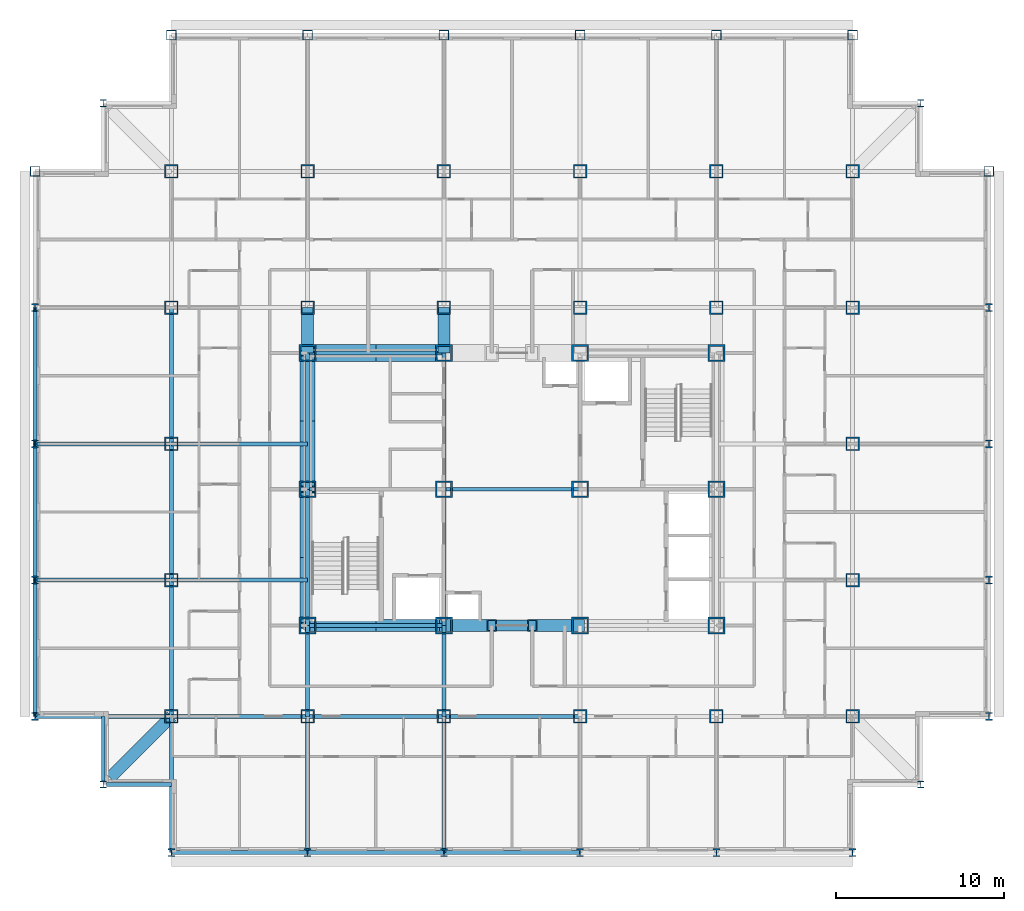
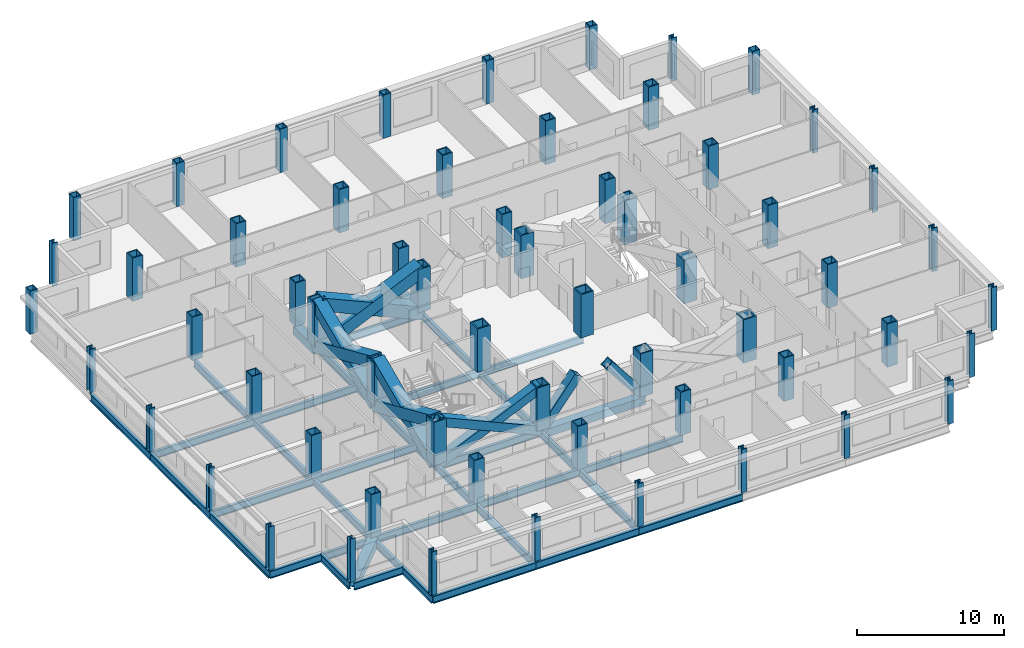
# One storey, part 1 of 12: 60 columns, 36 beams, 10 members.
"""IFC4 building model written with IfcOpenShell, lengths in metres."""

from ifc_helpers import new_model, si_unit, direction, frame, origin, origin_2d, place, context, subcontext, project, spatial, hollow_rectangle, i_section, extrude, material, material_profile, profile_set, type_object, element, save


model = new_model("IFC4")

# Units and contexts
model_context = context("Model", 3, precision=1e-05, world=origin(), true_north=direction((0.0, 1.0)))
body_context = subcontext(model_context, "Body", "Model", "MODEL_VIEW")
ifc_project = project(units=[si_unit("LENGTHUNIT", "METRE"), si_unit("AREAUNIT", "SQUARE_METRE"), si_unit("VOLUMEUNIT", "CUBIC_METRE"), si_unit("PLANEANGLEUNIT", "RADIAN"), si_unit("MASSUNIT", "GRAM", prefix="KILO")], contexts=[model_context])

# Site, building, storey
site_placement = place(None, origin())
site = spatial("IfcSite", under=ifc_project, at=site_placement, CompositionType="ELEMENT")
building_placement = place(site_placement, origin())
building = spatial("IfcBuilding", under=site, at=building_placement, Name="Kopane Lantern Tower", CompositionType="ELEMENT")
storey_placement = place(building_placement, frame((0.0, 0.0, 188.39990234375)))
storey = spatial("IfcBuildingStorey", under=building, at=storey_placement, Name="L48", CompositionType="ELEMENT", Elevation=188.39990234375)

# Columns
ifc_material_1 = material(Name="Steel S355JR", Category="steel")
ifc_material_profile_1 = material_profile(ifc_material_1, hollow_rectangle(XDim=1.0, YDim=1.0, WallThickness=0.10009765625, at=origin_2d()), Name="BOX 1000x1000x100")
ifc_profile_set_1 = profile_set([ifc_material_profile_1], Name="Steel S355JR")
column_type_1 = type_object("IfcColumnType", Name="COLUMN BOX 1000x1000x100", PredefinedType="COLUMN", material=ifc_profile_set_1)
for number, where, z_axis, x_axis, name in (
    (1, (16.199951171875, 24.300048828125, 0.0), (0.0, 0.0, 1.0), (1.0, 0.0, 0.0), "Column 4/E L48"),
    (2, (16.199951171875, 32.39990234375, 0.0), (0.0, 0.0, 1.0), (1.0, 0.0, 0.0), "Column 4/F L48"),
    (3, (16.199951171875, 40.5, 0.0), (0.0, 0.0, 1.0), (1.0, 0.0, 0.0), "Column 4/G L48"),
    (4, (24.300048828125, 24.300048828125, 0.0), (0.0, 0.0, 1.0), (1.0, 0.0, 0.0), "Column 5/E L48"),
    (5, (24.300048828125, 32.39990234375, 0.0), (0.0, 0.0, 1.0), (1.0, 0.0, 0.0), "Column 5/F L48"),
    (6, (24.300048828125, 40.5, 0.0), (0.0, 0.0, 1.0), (1.0, 0.0, 0.0), "Column 5/G L48"),
    (7, (32.39990234375, 24.300048828125, 0.0), (0.0, 0.0, 1.0), (1.0, 0.0, 0.0), "Column 6/E L48"),
    (8, (32.39990234375, 32.39990234375, 0.0), (0.0, 0.0, 1.0), (1.0, 0.0, 0.0), "Column 6/F L48"),
    (9, (32.39990234375, 40.5, 0.0), (0.0, 0.0, 1.0), (1.0, 0.0, 0.0), "Column 6/G L48"),
    (10, (40.5, 24.300048828125, 0.0), (0.0, 0.0, 1.0), (1.0, 0.0, 0.0), "Column 7/E L48"),
    (11, (40.5, 32.39990234375, 0.0), (0.0, 0.0, 1.0), (1.0, 0.0, 0.0), "Column 7/F L48"),
    (12, (40.5, 40.5, 0.0), (0.0, 0.0, 1.0), (1.0, 0.0, 0.0), "Column 7/G L48"),
):
    element("IfcColumn", number, at=place(storey_placement, frame(where, z_axis=z_axis, x_axis=x_axis)), inside=storey, type_object=column_type_1, Name=name, PredefinedType="COLUMN", context=body_context, shape_type="SweptSolid", body=[
        extrude(hollow_rectangle(XDim=1.0, YDim=1.0, WallThickness=0.10009765625, at=origin_2d()), origin(), (0.0, 0.0, 1.0), 3.60009765625),
    ])
ifc_material_2 = material(Name="Steel S355JR", Category="steel")
ifc_material_profile_2 = material_profile(ifc_material_2, hollow_rectangle(XDim=0.60009765625, YDim=0.60009765625, WallThickness=0.050048828125, at=origin_2d()), Name="BOX 600x600x50")
ifc_profile_set_2 = profile_set([ifc_material_profile_2], Name="Steel S355JR")
column_type_2 = type_object("IfcColumnType", Name="COLUMN BOX 600x600x50", PredefinedType="COLUMN", material=ifc_profile_set_2)
for number, where, z_axis, x_axis, name in (
    (13, (0.0, 51.300048828125, 0.0), (0.0, 0.0, 1.0), (1.0, 0.0, 0.0), "Column 2/Q6 L48"),
    (14, (8.10009765625, 59.39990234375, 0.0), (0.0, 0.0, 1.0), (1.0, 0.0, 0.0), "Column 3/Q7 L48"),
    (15, (16.199951171875, 59.39990234375, 0.0), (0.0, 0.0, 1.0), (1.0, 0.0, 0.0), "Column 4/Q7 L48"),
    (16, (24.300048828125, 59.39990234375, 0.0), (0.0, 0.0, 1.0), (1.0, 0.0, 0.0), "Column 5/Q7 L48"),
    (17, (32.39990234375, 59.39990234375, 0.0), (0.0, 0.0, 1.0), (1.0, 0.0, 0.0), "Column 6/Q7 L48"),
    (18, (40.5, 59.39990234375, 0.0), (0.0, 0.0, 1.0), (1.0, 0.0, 0.0), "Column 7/Q7 L48"),
    (19, (48.60009765625, 59.39990234375, 0.0), (0.0, 0.0, 1.0), (1.0, 0.0, 0.0), "Column 8/Q7 L48"),
    (20, (56.699951171875, 51.300048828125, 0.0), (0.0, 0.0, 1.0), (1.0, 0.0, 0.0), "Column 9/Q6 L48"),
):
    element("IfcColumn", number, at=place(storey_placement, frame(where, z_axis=z_axis, x_axis=x_axis)), inside=storey, type_object=column_type_2, Name=name, PredefinedType="COLUMN", context=body_context, shape_type="SweptSolid", body=[
        extrude(hollow_rectangle(XDim=0.60009765625, YDim=0.60009765625, WallThickness=0.050048828125, at=origin_2d()), origin(), (0.0, 0.0, 1.0), 3.60009765625),
    ])
ifc_material_3 = material(Name="Steel S355JR", Category="steel")
ifc_material_profile_3 = material_profile(ifc_material_3, hollow_rectangle(XDim=0.800048828125, YDim=0.800048828125, WallThickness=0.080078125, at=origin_2d()), Name="BOX 800x800x80")
ifc_profile_set_3 = profile_set([ifc_material_profile_3], Name="Steel S355JR")
column_type_3 = type_object("IfcColumnType", Name="COLUMN BOX 800x800x80", PredefinedType="COLUMN", material=ifc_profile_set_3)
for number, where, z_axis, x_axis, name in (
    (21, (8.10009765625, 18.89990234375, 0.0), (0.0, 0.0, 1.0), (1.0, 0.0, 0.0), "Column 3/Q2 L48"),
    (22, (8.10009765625, 27.0, 0.0), (0.0, 0.0, 1.0), (1.0, 0.0, 0.0), "Column 3/Q3 L48"),
    (23, (8.10009765625, 35.10009765625, 0.0), (0.0, 0.0, 1.0), (1.0, 0.0, 0.0), "Column 3/Q4 L48"),
    (24, (8.10009765625, 43.199951171875, 0.0), (0.0, 0.0, 1.0), (1.0, 0.0, 0.0), "Column 3/Q5 L48"),
    (25, (8.10009765625, 51.300048828125, 0.0), (0.0, 0.0, 1.0), (1.0, 0.0, 0.0), "Column 3/Q6 L48"),
    (26, (16.199951171875, 18.89990234375, 0.0), (0.0, 0.0, 1.0), (1.0, 0.0, 0.0), "Column 4/Q2 L48"),
    (27, (16.199951171875, 43.199951171875, 0.0), (0.0, 0.0, 1.0), (1.0, 0.0, 0.0), "Column 4/Q5 L48"),
    (28, (16.199951171875, 51.300048828125, 0.0), (0.0, 0.0, 1.0), (1.0, 0.0, 0.0), "Column 4/Q6 L48"),
    (29, (24.300048828125, 18.89990234375, 0.0), (0.0, 0.0, 1.0), (1.0, 0.0, 0.0), "Column 5/Q2 L48"),
    (30, (24.300048828125, 43.199951171875, 0.0), (0.0, 0.0, 1.0), (1.0, 0.0, 0.0), "Column 5/Q5 L48"),
    (31, (24.300048828125, 51.300048828125, 0.0), (0.0, 0.0, 1.0), (1.0, 0.0, 0.0), "Column 5/Q6 L48"),
    (32, (32.39990234375, 18.89990234375, 0.0), (0.0, 0.0, 1.0), (1.0, 0.0, 0.0), "Column 6/Q2 L48"),
    (33, (32.39990234375, 43.199951171875, 0.0), (0.0, 0.0, 1.0), (1.0, 0.0, 0.0), "Column 6/Q5 L48"),
    (34, (32.39990234375, 51.300048828125, 0.0), (0.0, 0.0, 1.0), (1.0, 0.0, 0.0), "Column 6/Q6 L48"),
    (35, (40.5, 18.89990234375, 0.0), (0.0, 0.0, 1.0), (1.0, 0.0, 0.0), "Column 7/Q2 L48"),
    (36, (40.5, 43.199951171875, 0.0), (0.0, 0.0, 1.0), (1.0, 0.0, 0.0), "Column 7/Q5 L48"),
    (37, (40.5, 51.300048828125, 0.0), (0.0, 0.0, 1.0), (1.0, 0.0, 0.0), "Column 7/Q6 L48"),
    (38, (48.60009765625, 18.89990234375, 0.0), (0.0, 0.0, 1.0), (1.0, 0.0, 0.0), "Column 8/Q2 L48"),
    (39, (48.60009765625, 27.0, 0.0), (0.0, 0.0, 1.0), (1.0, 0.0, 0.0), "Column 8/Q3 L48"),
    (40, (48.60009765625, 35.10009765625, 0.0), (0.0, 0.0, 1.0), (1.0, 0.0, 0.0), "Column 8/Q4 L48"),
    (41, (48.60009765625, 43.199951171875, 0.0), (0.0, 0.0, 1.0), (1.0, 0.0, 0.0), "Column 8/Q5 L48"),
    (42, (48.60009765625, 51.300048828125, 0.0), (0.0, 0.0, 1.0), (1.0, 0.0, 0.0), "Column 8/Q6 L48"),
):
    element("IfcColumn", number, at=place(storey_placement, frame(where, z_axis=z_axis, x_axis=x_axis)), inside=storey, type_object=column_type_3, Name=name, PredefinedType="COLUMN", context=body_context, shape_type="SweptSolid", body=[
        extrude(hollow_rectangle(XDim=0.800048828125, YDim=0.800048828125, WallThickness=0.080078125, at=origin_2d()), origin(), (0.0, 0.0, 1.0), 3.60009765625),
    ])
ifc_material_4 = material(Name="Steel S355JR", Category="steel")
ifc_material_profile_4 = material_profile(ifc_material_4, i_section(OverallWidth=0.406982421875, OverallDepth=0.4189453125, WebThickness=0.030517578125, FlangeThickness=0.04931640625, FilletRadius=0.01513671875, at=origin_2d()), Name="UC 356x406x393")
ifc_profile_set_4 = profile_set([ifc_material_profile_4], Name="Steel S355JR")
column_type_4 = type_object("IfcColumnType", Name="COLUMN UC 356x406x393", PredefinedType="COLUMN", material=ifc_profile_set_4)
for number, where, z_axis, x_axis, name in (
    (43, (4.050048828125, 14.85009765625, 0.0), (0.0, 0.0, 1.0), (1.0, 0.0, 0.0), "Column 4.05/14.85 L48"),
    (44, (4.050048828125, 55.35009765625, 0.0), (0.0, 0.0, 1.0), (1.0, 0.0, 0.0), "Column 4.05/55.35 L48"),
    (45, (52.64990234375, 14.85009765625, 0.0), (0.0, 0.0, 1.0), (1.0, 0.0, 0.0), "Column 52.65/14.85 L48"),
    (46, (52.64990234375, 55.35009765625, 0.0), (0.0, 0.0, 1.0), (1.0, 0.0, 0.0), "Column 52.65/55.35 L48"),
):
    element("IfcColumn", number, at=place(storey_placement, frame(where, z_axis=z_axis, x_axis=x_axis)), inside=storey, type_object=column_type_4, Name=name, PredefinedType="COLUMN", context=body_context, shape_type="SweptSolid", body=[
        extrude(i_section(OverallWidth=0.406982421875, OverallDepth=0.4189453125, WebThickness=0.030517578125, FlangeThickness=0.04931640625, FilletRadius=0.01513671875, at=origin_2d()), origin(), (0.0, 0.0, 1.0), 3.60009765625),
    ])
ifc_material_5 = material(Name="Steel S355JR", Category="steel")
ifc_material_profile_5 = material_profile(ifc_material_5, i_section(OverallWidth=0.424072265625, OverallDepth=0.474609375, WebThickness=0.047607421875, FlangeThickness=0.076904296875, FilletRadius=0.01513671875, at=origin_2d()), Name="UC 356x406x634")
ifc_profile_set_5 = profile_set([ifc_material_profile_5], Name="Steel S355JR")
column_type_5 = type_object("IfcColumnType", Name="COLUMN UC 356x406x634", PredefinedType="COLUMN", material=ifc_profile_set_5)
for number, where, z_axis, x_axis, name in (
    (47, (0.0, 18.89990234375, 0.0), (0.0, 0.0, 1.0), (1.0, 0.0, 0.0), "Column 2/Q2 L48"),
    (48, (0.0, 27.0, 0.0), (0.0, 0.0, 1.0), (1.0, 0.0, 0.0), "Column 2/Q3 L48"),
    (49, (0.0, 35.10009765625, 0.0), (0.0, 0.0, 1.0), (1.0, 0.0, 0.0), "Column 2/Q4 L48"),
    (50, (0.0, 43.199951171875, 0.0), (0.0, 0.0, 1.0), (1.0, 0.0, 0.0), "Column 2/Q5 L48"),
    (51, (8.10009765625, 10.800048828125, 0.0), (0.0, 0.0, 1.0), (1.0, 0.0, 0.0), "Column 3/Q1 L48"),
    (52, (16.199951171875, 10.800048828125, 0.0), (0.0, 0.0, 1.0), (1.0, 0.0, 0.0), "Column 4/Q1 L48"),
    (53, (24.300048828125, 10.800048828125, 0.0), (0.0, 0.0, 1.0), (1.0, 0.0, 0.0), "Column 5/Q1 L48"),
    (54, (32.39990234375, 10.800048828125, 0.0), (0.0, 0.0, 1.0), (1.0, 0.0, 0.0), "Column 6/Q1 L48"),
    (55, (40.5, 10.800048828125, 0.0), (0.0, 0.0, 1.0), (1.0, 0.0, 0.0), "Column 7/Q1 L48"),
    (56, (48.60009765625, 10.800048828125, 0.0), (0.0, 0.0, 1.0), (1.0, 0.0, 0.0), "Column 8/Q1 L48"),
    (57, (56.699951171875, 18.89990234375, 0.0), (0.0, 0.0, 1.0), (1.0, 0.0, 0.0), "Column 9/Q2 L48"),
    (58, (56.699951171875, 27.0, 0.0), (0.0, 0.0, 1.0), (1.0, 0.0, 0.0), "Column 9/Q3 L48"),
    (59, (56.699951171875, 35.10009765625, 0.0), (0.0, 0.0, 1.0), (1.0, 0.0, 0.0), "Column 9/Q4 L48"),
    (60, (56.699951171875, 43.199951171875, 0.0), (0.0, 0.0, 1.0), (1.0, 0.0, 0.0), "Column 9/Q5 L48"),
):
    element("IfcColumn", number, at=place(storey_placement, frame(where, z_axis=z_axis, x_axis=x_axis)), inside=storey, type_object=column_type_5, Name=name, PredefinedType="COLUMN", context=body_context, shape_type="SweptSolid", body=[
        extrude(i_section(OverallWidth=0.424072265625, OverallDepth=0.474609375, WebThickness=0.047607421875, FlangeThickness=0.076904296875, FilletRadius=0.01513671875, at=origin_2d()), origin(), (0.0, 0.0, 1.0), 3.60009765625),
    ])

# Members
ifc_material_6 = material(Name="Steel S355JR", Category="steel")
ifc_material_profile_6 = material_profile(ifc_material_6, hollow_rectangle(XDim=1.0, YDim=1.0, WallThickness=0.10009765625, at=origin_2d()), Name="BOX 1000x1000x100")
ifc_profile_set_6 = profile_set([ifc_material_profile_6], Name="Steel S355JR")
member_type_1 = type_object("IfcMemberType", Name="BRACE BOX 1000x1000x100", PredefinedType="BRACE", material=ifc_profile_set_6)
for number, where, z_axis, x_axis, name in (
    (61, (16.199951171875, 40.5, -0.2099609375), (0.913809277049, 0.0, 0.40614357705), (0.0, 1.0, 0.0), "Core brace L48"),
    (62, (24.300048828125, 40.5, -0.2099609375), (-0.913809277049, 0.0, 0.40614357705), (0.0, -1.0, 0.0), "Core brace L48"),
):
    element("IfcMember", number, at=place(storey_placement, frame(where, z_axis=z_axis, x_axis=x_axis)), inside=storey, type_object=member_type_1, Name=name, PredefinedType="BRACE", context=body_context, shape_type="SweptSolid", body=[
        extrude(hollow_rectangle(XDim=1.0, YDim=1.0, WallThickness=0.10009765625, at=origin_2d()), origin(), (0.0, 0.0, 1.0), 8.864013671875),
    ])
ifc_material_7 = material(Name="Steel S355JR", Category="steel")
ifc_material_profile_7 = material_profile(ifc_material_7, hollow_rectangle(XDim=0.699951171875, YDim=0.699951171875, WallThickness=0.06005859375, at=origin_2d()), Name="BOX 700x700x60")
ifc_profile_set_7 = profile_set([ifc_material_profile_7], Name="Steel S355JR")
member_type_2 = type_object("IfcMemberType", Name="BRACE BOX 700x700x60", PredefinedType="BRACE", material=ifc_profile_set_7)
for number, where, z_axis, x_axis, name in (
    (63, (16.199951171875, 24.300048828125, -0.2099609375), (0.913809277049, 0.0, 0.40614357705), (0.0, 1.0, 0.0), "Core brace L48"),
    (64, (24.300048828125, 24.300048828125, -0.2099609375), (-0.913809277049, 0.0, 0.40614357705), (0.0, -1.0, 0.0), "Core brace L48"),
):
    element("IfcMember", number, at=place(storey_placement, frame(where, z_axis=z_axis, x_axis=x_axis)), inside=storey, type_object=member_type_2, Name=name, PredefinedType="BRACE", context=body_context, shape_type="SweptSolid", body=[
        extrude(hollow_rectangle(XDim=0.699951171875, YDim=0.699951171875, WallThickness=0.06005859375, at=origin_2d()), origin(), (0.0, 0.0, 1.0), 8.864013671875),
    ])
for number, where, z_axis, x_axis, name in (
    (65, (24.300048828125, 24.300048828125, -0.2099609375), (0.620672981644, 0.0, 0.784069544018), (0.0, 1.0, 0.0), "Core brace L48"),
    (66, (32.39990234375, 24.300048828125, -0.2099609375), (-0.620672981644, 0.0, 0.784069544018), (0.0, -1.0, 0.0), "Core brace L48"),
):
    element("IfcMember", number, at=place(storey_placement, frame(where, z_axis=z_axis, x_axis=x_axis)), inside=storey, type_object=member_type_2, Name=name, PredefinedType="BRACE", context=body_context, shape_type="SweptSolid", body=[
        extrude(hollow_rectangle(XDim=0.699951171875, YDim=0.699951171875, WallThickness=0.06005859375, at=origin_2d()), origin(), (0.0, 0.0, 1.0), 4.591552734375),
    ])
ifc_material_8 = material(Name="Steel S355JR", Category="steel")
ifc_material_profile_8 = material_profile(ifc_material_8, hollow_rectangle(XDim=0.89990234375, YDim=0.89990234375, WallThickness=0.090087890625, at=origin_2d()), Name="BOX 900x900x90")
ifc_profile_set_8 = profile_set([ifc_material_profile_8], Name="Steel S355JR")
member_type_3 = type_object("IfcMemberType", Name="BRACE BOX 900x900x90", PredefinedType="BRACE", material=ifc_profile_set_8)
for number, where, z_axis, x_axis, name in (
    (67, (16.199951171875, 24.300048828125, -0.2099609375), (0.0, 0.91380473365, 0.406153799391), (-1.0, 0.0, 0.0), "Core brace L48"),
    (68, (16.199951171875, 32.39990234375, -0.2099609375), (0.0, -0.91380473365, 0.406153799391), (1.0, 0.0, 0.0), "Core brace L48"),
):
    element("IfcMember", number, at=place(storey_placement, frame(where, z_axis=z_axis, x_axis=x_axis)), inside=storey, type_object=member_type_3, Name=name, PredefinedType="BRACE", context=body_context, shape_type="SweptSolid", body=[
        extrude(hollow_rectangle(XDim=0.89990234375, YDim=0.89990234375, WallThickness=0.090087890625, at=origin_2d()), origin(), (0.0, 0.0, 1.0), 8.86376953125),
    ])
for number, where, z_axis, x_axis, name in (
    (69, (16.199951171875, 32.39990234375, -0.2099609375), (0.0, 0.913809277049, 0.40614357705), (-1.0, 0.0, 0.0), "Core brace L48"),
    (70, (16.199951171875, 40.5, -0.2099609375), (0.0, -0.913809277049, 0.40614357705), (1.0, 0.0, 0.0), "Core brace L48"),
):
    element("IfcMember", number, at=place(storey_placement, frame(where, z_axis=z_axis, x_axis=x_axis)), inside=storey, type_object=member_type_3, Name=name, PredefinedType="BRACE", context=body_context, shape_type="SweptSolid", body=[
        extrude(hollow_rectangle(XDim=0.89990234375, YDim=0.89990234375, WallThickness=0.090087890625, at=origin_2d()), origin(), (0.0, 0.0, 1.0), 8.864013671875),
    ])

# Beams
ifc_material_9 = material(Name="Steel S355JR", Category="steel")
ifc_material_profile_9 = material_profile(ifc_material_9, i_section(OverallWidth=0.22900390625, OverallDepth=0.6123046875, WebThickness=0.011962890625, FlangeThickness=0.01953125, FilletRadius=0.0126953125, at=origin_2d()), Name="UB 610x229x125")
ifc_profile_set_9 = profile_set([ifc_material_profile_9], Name="Steel S355JR")
beam_type_1 = type_object("IfcBeamType", Name="CORE BEAM UB 610x229x125", PredefinedType="BEAM", material=ifc_profile_set_9)
beam_1_placement = place(storey_placement, frame((16.199951171875, 32.39990234375, -0.51611328125), z_axis=(1.0, 0.0, 0.0), x_axis=(0.0, 1.0, 0.0)))
element("IfcBeam", 71, at=beam_1_placement, inside=storey, type_object=beam_type_1, Name="Core Beam L48", PredefinedType="BEAM", context=body_context, shape_type="SweptSolid", body=[
    extrude(i_section(OverallWidth=0.22900390625, OverallDepth=0.6123046875, WebThickness=0.011962890625, FlangeThickness=0.01953125, FilletRadius=0.0126953125, at=origin_2d()), origin(), (0.0, 0.0, 1.0), 8.10009765625),
])
beam_2_placement = place(storey_placement, frame((24.300048828125, 24.300048828125, -0.51611328125), z_axis=(0.0, 1.0, 0.0), x_axis=(-1.0, 0.0, 0.0)))
element("IfcBeam", 72, at=beam_2_placement, inside=storey, type_object=beam_type_1, Name="Core Beam L48", PredefinedType="BEAM", context=body_context, shape_type="SweptSolid", body=[
    extrude(i_section(OverallWidth=0.22900390625, OverallDepth=0.6123046875, WebThickness=0.011962890625, FlangeThickness=0.01953125, FilletRadius=0.0126953125, at=origin_2d()), origin(), (0.0, 0.0, 1.0), 8.099853515625),
])
beam_3_placement = place(storey_placement, frame((24.300048828125, 32.39990234375, -0.51611328125), z_axis=(0.0, 1.0, 0.0), x_axis=(-1.0, 0.0, 0.0)))
element("IfcBeam", 73, at=beam_3_placement, inside=storey, type_object=beam_type_1, Name="Core Beam L48", PredefinedType="BEAM", context=body_context, shape_type="SweptSolid", body=[
    extrude(i_section(OverallWidth=0.22900390625, OverallDepth=0.6123046875, WebThickness=0.011962890625, FlangeThickness=0.01953125, FilletRadius=0.0126953125, at=origin_2d()), origin(), (0.0, 0.0, 1.0), 8.10009765625),
])
beam_4_placement = place(storey_placement, frame((24.300048828125, 32.39990234375, -0.51611328125), z_axis=(1.0, 0.0, 0.0), x_axis=(0.0, 1.0, 0.0)))
element("IfcBeam", 74, at=beam_4_placement, inside=storey, type_object=beam_type_1, Name="Core Beam L48", PredefinedType="BEAM", context=body_context, shape_type="SweptSolid", body=[
    extrude(i_section(OverallWidth=0.22900390625, OverallDepth=0.6123046875, WebThickness=0.011962890625, FlangeThickness=0.01953125, FilletRadius=0.0126953125, at=origin_2d()), origin(), (0.0, 0.0, 1.0), 8.099853515625),
])
ifc_material_10 = material(Name="Steel S355JR", Category="steel")
ifc_material_profile_10 = material_profile(ifc_material_10, hollow_rectangle(XDim=0.699951171875, YDim=0.699951171875, WallThickness=0.06005859375, at=origin_2d()), Name="BOX 700x700x60")
ifc_profile_set_10 = profile_set([ifc_material_profile_10], Name="Steel S355JR")
beam_type_2 = type_object("IfcBeamType", Name="CORNER TIE BEAM BOX 700x700x60", PredefinedType="BEAM", material=ifc_profile_set_10)
beam_5_placement = place(storey_placement, frame((4.447509765625, 15.24755859375, -0.559814453125), z_axis=(0.70713041325, 0.707083148333, 0.0), x_axis=(-0.707083148333, 0.70713041325, 0.0)))
element("IfcBeam", 75, at=beam_5_placement, inside=storey, type_object=beam_type_2, Name="Corner Tie Beam L48", PredefinedType="BEAM", context=body_context, shape_type="SweptSolid", body=[
    extrude(hollow_rectangle(XDim=0.699951171875, YDim=0.699951171875, WallThickness=0.06005859375, at=origin_2d()), origin(), (0.0, 0.0, 1.0), 5.165283203125),
])
ifc_material_11 = material(Name="Steel S355JR", Category="steel")
ifc_material_profile_11 = material_profile(ifc_material_11, i_section(OverallWidth=0.22900390625, OverallDepth=0.6123046875, WebThickness=0.011962890625, FlangeThickness=0.01953125, FilletRadius=0.0126953125, at=origin_2d()), Name="UB 610x229x125")
ifc_profile_set_11 = profile_set([ifc_material_profile_11], Name="Steel S355JR")
beam_type_3 = type_object("IfcBeamType", Name="EDGE BEAM UB 610x229x125", PredefinedType="BEAM", material=ifc_profile_set_11)
beam_6_placement = place(storey_placement, frame((4.050048828125, 15.053466796875, -0.51611328125), z_axis=(0.0, 1.0, 0.0), x_axis=(-1.0, 0.0, 0.0)))
element("IfcBeam", 76, at=beam_6_placement, inside=storey, type_object=beam_type_3, Name="Edge Beam L48", PredefinedType="BEAM", context=body_context, shape_type="SweptSolid", body=[
    extrude(i_section(OverallWidth=0.22900390625, OverallDepth=0.6123046875, WebThickness=0.011962890625, FlangeThickness=0.01953125, FilletRadius=0.0126953125, at=origin_2d()), origin(), (0.0, 0.0, 1.0), 3.846435546875),
])
beam_7_placement = place(storey_placement, frame((4.25341796875, 14.85009765625, -0.51611328125), z_axis=(1.0, 0.0, 0.0), x_axis=(0.0, 1.0, 0.0)))
element("IfcBeam", 77, at=beam_7_placement, inside=storey, type_object=beam_type_3, Name="Edge Beam L48", PredefinedType="BEAM", context=body_context, shape_type="SweptSolid", body=[
    extrude(i_section(OverallWidth=0.22900390625, OverallDepth=0.6123046875, WebThickness=0.011962890625, FlangeThickness=0.01953125, FilletRadius=0.0126953125, at=origin_2d()), origin(), (0.0, 0.0, 1.0), 3.8466796875),
])
ifc_material_12 = material(Name="Steel S355JR", Category="steel")
ifc_material_profile_12 = material_profile(ifc_material_12, hollow_rectangle(XDim=0.699951171875, YDim=0.699951171875, WallThickness=0.06005859375, at=origin_2d()), Name="BOX 700x700x60")
ifc_profile_set_12 = profile_set([ifc_material_profile_12], Name="Steel S355JR")
beam_type_4 = type_object("IfcBeamType", Name="GIRDER BOX 700x700x60", PredefinedType="BEAM", material=ifc_profile_set_12)
for number, where, z_axis, x_axis, name in (
    (78, (16.199951171875, 40.5, -0.559814453125), (0.0, 1.0, 0.0), (-1.0, 0.0, 0.0), "Girder L48"),
    (79, (24.300048828125, 40.5, -0.559814453125), (0.0, 1.0, 0.0), (-1.0, 0.0, 0.0), "Girder L48"),
):
    element("IfcBeam", number, at=place(storey_placement, frame(where, z_axis=z_axis, x_axis=x_axis)), inside=storey, type_object=beam_type_4, Name=name, PredefinedType="BEAM", context=body_context, shape_type="SweptSolid", body=[
        extrude(hollow_rectangle(XDim=0.699951171875, YDim=0.699951171875, WallThickness=0.06005859375, at=origin_2d()), origin(), (0.0, 0.0, 1.0), 2.699951171875),
    ])
ifc_material_13 = material(Name="Steel S355JR", Category="steel")
ifc_material_profile_13 = material_profile(ifc_material_13, i_section(OverallWidth=0.22900390625, OverallDepth=0.6123046875, WebThickness=0.011962890625, FlangeThickness=0.01953125, FilletRadius=0.0126953125, at=origin_2d()), Name="UB 610x229x125")
ifc_profile_set_13 = profile_set([ifc_material_profile_13], Name="Steel S355JR")
beam_type_5 = type_object("IfcBeamType", Name="GIRDER UB 610x229x125", PredefinedType="BEAM", material=ifc_profile_set_13)
for number, where, z_axis, x_axis, name in (
    (80, (0.0, 18.89990234375, -0.51611328125), (0.0, 1.0, 0.0), (-1.0, 0.0, 0.0), "Girder L48"),
    (81, (0.0, 18.89990234375, -0.51611328125), (1.0, 0.0, 0.0), (0.0, 1.0, 0.0), "Girder L48"),
    (82, (0.0, 27.0, -0.51611328125), (0.0, 1.0, 0.0), (-1.0, 0.0, 0.0), "Girder L48"),
    (83, (0.0, 27.0, -0.51611328125), (1.0, 0.0, 0.0), (0.0, 1.0, 0.0), "Girder L48"),
):
    element("IfcBeam", number, at=place(storey_placement, frame(where, z_axis=z_axis, x_axis=x_axis)), inside=storey, type_object=beam_type_5, Name=name, PredefinedType="BEAM", context=body_context, shape_type="SweptSolid", body=[
        extrude(i_section(OverallWidth=0.22900390625, OverallDepth=0.6123046875, WebThickness=0.011962890625, FlangeThickness=0.01953125, FilletRadius=0.0126953125, at=origin_2d()), origin(), (0.0, 0.0, 1.0), 8.10009765625),
    ])
beam_8_placement = place(storey_placement, frame((0.0, 35.10009765625, -0.51611328125), z_axis=(0.0, 1.0, 0.0), x_axis=(-1.0, 0.0, 0.0)))
element("IfcBeam", 84, at=beam_8_placement, inside=storey, type_object=beam_type_5, Name="Girder L48", PredefinedType="BEAM", context=body_context, shape_type="SweptSolid", body=[
    extrude(i_section(OverallWidth=0.22900390625, OverallDepth=0.6123046875, WebThickness=0.011962890625, FlangeThickness=0.01953125, FilletRadius=0.0126953125, at=origin_2d()), origin(), (0.0, 0.0, 1.0), 8.099853515625),
])
beam_9_placement = place(storey_placement, frame((0.0, 35.10009765625, -0.51611328125), z_axis=(1.0, 0.0, 0.0), x_axis=(0.0, 1.0, 0.0)))
element("IfcBeam", 85, at=beam_9_placement, inside=storey, type_object=beam_type_5, Name="Girder L48", PredefinedType="BEAM", context=body_context, shape_type="SweptSolid", body=[
    extrude(i_section(OverallWidth=0.22900390625, OverallDepth=0.6123046875, WebThickness=0.011962890625, FlangeThickness=0.01953125, FilletRadius=0.0126953125, at=origin_2d()), origin(), (0.0, 0.0, 1.0), 8.10009765625),
])
for number, where, z_axis, x_axis, name in (
    (86, (8.10009765625, 10.800048828125, -0.51611328125), (0.0, 1.0, 0.0), (-1.0, 0.0, 0.0), "Girder L48"),
    (87, (8.10009765625, 10.800048828125, -0.51611328125), (1.0, 0.0, 0.0), (0.0, 1.0, 0.0), "Girder L48"),
):
    element("IfcBeam", number, at=place(storey_placement, frame(where, z_axis=z_axis, x_axis=x_axis)), inside=storey, type_object=beam_type_5, Name=name, PredefinedType="BEAM", context=body_context, shape_type="SweptSolid", body=[
        extrude(i_section(OverallWidth=0.22900390625, OverallDepth=0.6123046875, WebThickness=0.011962890625, FlangeThickness=0.01953125, FilletRadius=0.0126953125, at=origin_2d()), origin(), (0.0, 0.0, 1.0), 8.099853515625),
    ])
beam_10_placement = place(storey_placement, frame((8.10009765625, 18.89990234375, -0.51611328125), z_axis=(0.0, 1.0, 0.0), x_axis=(-1.0, 0.0, 0.0)))
element("IfcBeam", 88, at=beam_10_placement, inside=storey, type_object=beam_type_5, Name="Girder L48", PredefinedType="BEAM", context=body_context, shape_type="SweptSolid", body=[
    extrude(i_section(OverallWidth=0.22900390625, OverallDepth=0.6123046875, WebThickness=0.011962890625, FlangeThickness=0.01953125, FilletRadius=0.0126953125, at=origin_2d()), origin(), (0.0, 0.0, 1.0), 8.10009765625),
])
beam_11_placement = place(storey_placement, frame((8.10009765625, 18.89990234375, -0.51611328125), z_axis=(1.0, 0.0, 0.0), x_axis=(0.0, 1.0, 0.0)))
element("IfcBeam", 89, at=beam_11_placement, inside=storey, type_object=beam_type_5, Name="Girder L48", PredefinedType="BEAM", context=body_context, shape_type="SweptSolid", body=[
    extrude(i_section(OverallWidth=0.22900390625, OverallDepth=0.6123046875, WebThickness=0.011962890625, FlangeThickness=0.01953125, FilletRadius=0.0126953125, at=origin_2d()), origin(), (0.0, 0.0, 1.0), 8.099853515625),
])
beam_12_placement = place(storey_placement, frame((8.10009765625, 27.0, -0.51611328125), z_axis=(0.0, 1.0, 0.0), x_axis=(-1.0, 0.0, 0.0)))
element("IfcBeam", 90, at=beam_12_placement, inside=storey, type_object=beam_type_5, Name="Girder L48", PredefinedType="BEAM", context=body_context, shape_type="SweptSolid", body=[
    extrude(i_section(OverallWidth=0.22900390625, OverallDepth=0.6123046875, WebThickness=0.011962890625, FlangeThickness=0.01953125, FilletRadius=0.0126953125, at=origin_2d()), origin(), (0.0, 0.0, 1.0), 8.10009765625),
])
for number, where, z_axis, x_axis, name in (
    (91, (8.10009765625, 27.0, -0.51611328125), (1.0, 0.0, 0.0), (0.0, 1.0, 0.0), "Girder L48"),
    (92, (8.10009765625, 35.10009765625, -0.51611328125), (0.0, 1.0, 0.0), (-1.0, 0.0, 0.0), "Girder L48"),
    (93, (8.10009765625, 35.10009765625, -0.51611328125), (1.0, 0.0, 0.0), (0.0, 1.0, 0.0), "Girder L48"),
    (94, (16.199951171875, 10.800048828125, -0.51611328125), (0.0, 1.0, 0.0), (-1.0, 0.0, 0.0), "Girder L48"),
):
    element("IfcBeam", number, at=place(storey_placement, frame(where, z_axis=z_axis, x_axis=x_axis)), inside=storey, type_object=beam_type_5, Name=name, PredefinedType="BEAM", context=body_context, shape_type="SweptSolid", body=[
        extrude(i_section(OverallWidth=0.22900390625, OverallDepth=0.6123046875, WebThickness=0.011962890625, FlangeThickness=0.01953125, FilletRadius=0.0126953125, at=origin_2d()), origin(), (0.0, 0.0, 1.0), 8.099853515625),
    ])
beam_13_placement = place(storey_placement, frame((16.199951171875, 10.800048828125, -0.51611328125), z_axis=(1.0, 0.0, 0.0), x_axis=(0.0, 1.0, 0.0)))
element("IfcBeam", 95, at=beam_13_placement, inside=storey, type_object=beam_type_5, Name="Girder L48", PredefinedType="BEAM", context=body_context, shape_type="SweptSolid", body=[
    extrude(i_section(OverallWidth=0.22900390625, OverallDepth=0.6123046875, WebThickness=0.011962890625, FlangeThickness=0.01953125, FilletRadius=0.0126953125, at=origin_2d()), origin(), (0.0, 0.0, 1.0), 8.10009765625),
])
beam_14_placement = place(storey_placement, frame((16.199951171875, 18.89990234375, -0.51611328125), z_axis=(0.0, 1.0, 0.0), x_axis=(-1.0, 0.0, 0.0)))
element("IfcBeam", 96, at=beam_14_placement, inside=storey, type_object=beam_type_5, Name="Girder L48", PredefinedType="BEAM", context=body_context, shape_type="SweptSolid", body=[
    extrude(i_section(OverallWidth=0.22900390625, OverallDepth=0.6123046875, WebThickness=0.011962890625, FlangeThickness=0.01953125, FilletRadius=0.0126953125, at=origin_2d()), origin(), (0.0, 0.0, 1.0), 5.400146484375),
])
beam_15_placement = place(storey_placement, frame((16.199951171875, 18.89990234375, -0.51611328125), z_axis=(1.0, 0.0, 0.0), x_axis=(0.0, 1.0, 0.0)))
element("IfcBeam", 97, at=beam_15_placement, inside=storey, type_object=beam_type_5, Name="Girder L48", PredefinedType="BEAM", context=body_context, shape_type="SweptSolid", body=[
    extrude(i_section(OverallWidth=0.22900390625, OverallDepth=0.6123046875, WebThickness=0.011962890625, FlangeThickness=0.01953125, FilletRadius=0.0126953125, at=origin_2d()), origin(), (0.0, 0.0, 1.0), 8.10009765625),
])
beam_16_placement = place(storey_placement, frame((16.199951171875, 24.300048828125, -0.51611328125), z_axis=(0.0, 1.0, 0.0), x_axis=(-1.0, 0.0, 0.0)))
element("IfcBeam", 98, at=beam_16_placement, inside=storey, type_object=beam_type_5, Name="Girder L48", PredefinedType="BEAM", context=body_context, shape_type="SweptSolid", body=[
    extrude(i_section(OverallWidth=0.22900390625, OverallDepth=0.6123046875, WebThickness=0.011962890625, FlangeThickness=0.01953125, FilletRadius=0.0126953125, at=origin_2d()), origin(), (0.0, 0.0, 1.0), 8.099853515625),
])
for number, where, z_axis, x_axis, name in (
    (99, (16.199951171875, 24.300048828125, -0.51611328125), (1.0, 0.0, 0.0), (0.0, 1.0, 0.0), "Girder L48"),
    (100, (16.199951171875, 32.39990234375, -0.51611328125), (0.0, 1.0, 0.0), (-1.0, 0.0, 0.0), "Girder L48"),
    (101, (16.199951171875, 40.5, -0.51611328125), (1.0, 0.0, 0.0), (0.0, 1.0, 0.0), "Girder L48"),
):
    element("IfcBeam", number, at=place(storey_placement, frame(where, z_axis=z_axis, x_axis=x_axis)), inside=storey, type_object=beam_type_5, Name=name, PredefinedType="BEAM", context=body_context, shape_type="SweptSolid", body=[
        extrude(i_section(OverallWidth=0.22900390625, OverallDepth=0.6123046875, WebThickness=0.011962890625, FlangeThickness=0.01953125, FilletRadius=0.0126953125, at=origin_2d()), origin(), (0.0, 0.0, 1.0), 8.10009765625),
    ])
for number, where, z_axis, x_axis, name in (
    (102, (24.300048828125, 10.800048828125, -0.51611328125), (0.0, 1.0, 0.0), (-1.0, 0.0, 0.0), "Girder L48"),
    (103, (24.300048828125, 10.800048828125, -0.51611328125), (1.0, 0.0, 0.0), (0.0, 1.0, 0.0), "Girder L48"),
):
    element("IfcBeam", number, at=place(storey_placement, frame(where, z_axis=z_axis, x_axis=x_axis)), inside=storey, type_object=beam_type_5, Name=name, PredefinedType="BEAM", context=body_context, shape_type="SweptSolid", body=[
        extrude(i_section(OverallWidth=0.22900390625, OverallDepth=0.6123046875, WebThickness=0.011962890625, FlangeThickness=0.01953125, FilletRadius=0.0126953125, at=origin_2d()), origin(), (0.0, 0.0, 1.0), 8.099853515625),
    ])
beam_17_placement = place(storey_placement, frame((24.300048828125, 18.89990234375, -0.51611328125), z_axis=(0.0, 1.0, 0.0), x_axis=(-1.0, 0.0, 0.0)))
element("IfcBeam", 104, at=beam_17_placement, inside=storey, type_object=beam_type_5, Name="Girder L48", PredefinedType="BEAM", context=body_context, shape_type="SweptSolid", body=[
    extrude(i_section(OverallWidth=0.22900390625, OverallDepth=0.6123046875, WebThickness=0.011962890625, FlangeThickness=0.01953125, FilletRadius=0.0126953125, at=origin_2d()), origin(), (0.0, 0.0, 1.0), 5.400146484375),
])
beam_18_placement = place(storey_placement, frame((24.300048828125, 18.89990234375, -0.51611328125), z_axis=(1.0, 0.0, 0.0), x_axis=(0.0, 1.0, 0.0)))
element("IfcBeam", 105, at=beam_18_placement, inside=storey, type_object=beam_type_5, Name="Girder L48", PredefinedType="BEAM", context=body_context, shape_type="SweptSolid", body=[
    extrude(i_section(OverallWidth=0.22900390625, OverallDepth=0.6123046875, WebThickness=0.011962890625, FlangeThickness=0.01953125, FilletRadius=0.0126953125, at=origin_2d()), origin(), (0.0, 0.0, 1.0), 8.099853515625),
])
ifc_material_14 = material(Name="Steel S355JR", Category="steel")
ifc_material_profile_14 = material_profile(ifc_material_14, hollow_rectangle(XDim=0.64990234375, YDim=0.64990234375, WallThickness=0.070068359375, at=origin_2d()), Name="BOX 650x650x70")
ifc_profile_set_14 = profile_set([ifc_material_profile_14], Name="Steel S355JR")
beam_type_6 = type_object("IfcBeamType", Name="LINK BEAM BOX 650x650x70", PredefinedType="BEAM", material=ifc_profile_set_14)
beam_19_placement = place(storey_placement, frame((24.300048828125, 24.300048828125, -0.534912109375), z_axis=(1.0, 0.0, 0.0), x_axis=(0.0, 1.0, 0.0)))
element("IfcBeam", 106, at=beam_19_placement, inside=storey, type_object=beam_type_6, Name="Link Beam L48", PredefinedType="BEAM", context=body_context, shape_type="SweptSolid", body=[
    extrude(hollow_rectangle(XDim=0.64990234375, YDim=0.64990234375, WallThickness=0.070068359375, at=origin_2d()), origin(), (0.0, 0.0, 1.0), 8.099853515625),
])

save(model, "model.ifc")
